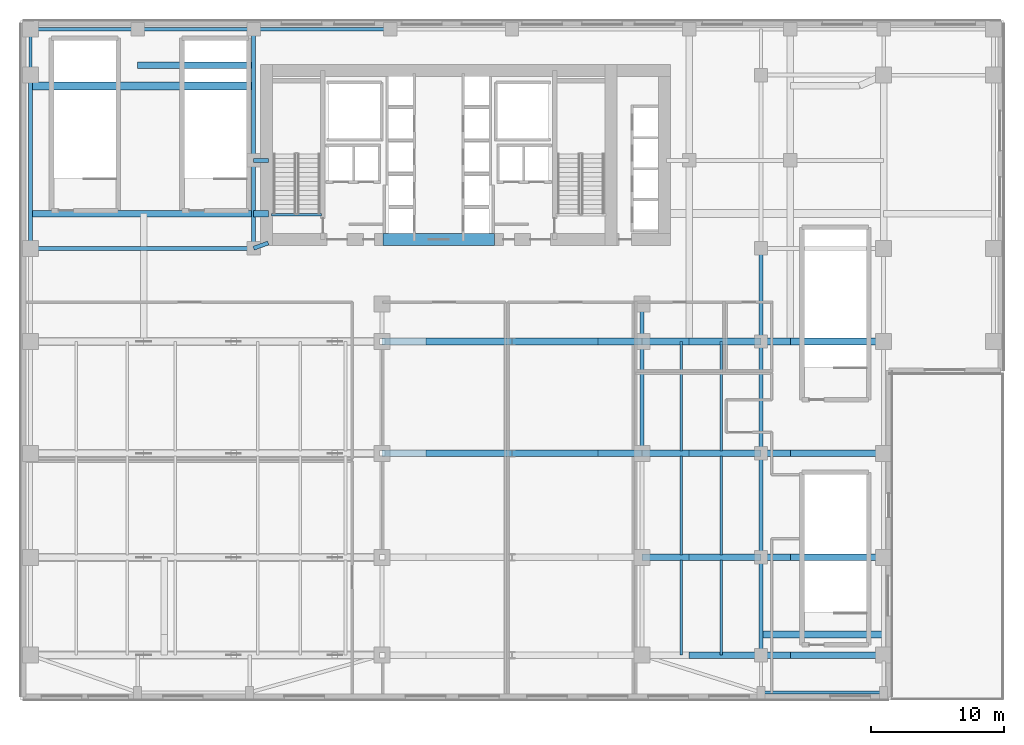
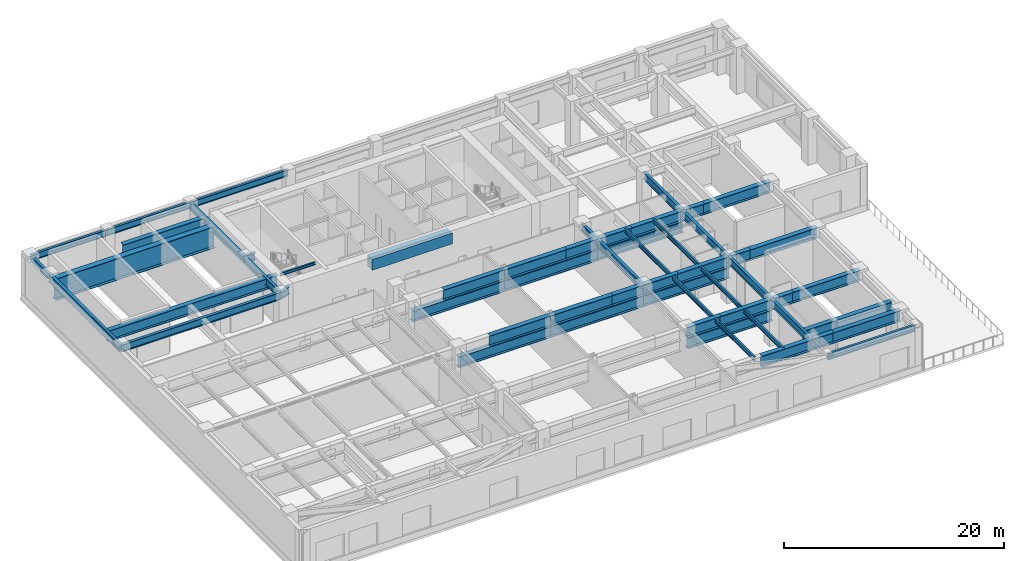
# One storey, part 3 of 14: 58 beams.
"""IFC4 building model written with IfcOpenShell, lengths in metres."""

import ifcopenshell
import ifcopenshell.guid

model = None  # the IFC model being written
_history = None  # IfcOwnerHistory: only IFC2X3 demands one
_inside = {}  # id of a spatial element -> (the spatial element, [elements in it])
_under = {}  # id of a project, library or spatial element -> (it, [spatial elements below it])
_declared = {}  # id of a project -> (the project, [libraries it declares])
_typed = {}  # id of a type object -> (the type object, [elements of that type])
_made_of = {}  # id of a material, layer set ... -> (it, [elements and type objects made of it])


def new_model(schema):
    """Start an empty IFC model of exactly this schema.

    Asked for "IFC4X3", IfcOpenShell would pick the latest addendum, in which some entities
    have other attributes; the version numbers below select the first issue.
    IFC2X3 requires an IfcOwnerHistory on every rooted entity: one is made here for all.
    """
    global model, _history
    if schema == "IFC4X3":
        model = ifcopenshell.file(schema_version=(4, 3, 0, 0))
    else:
        model = ifcopenshell.file(schema=schema)
    _inside.clear()
    _under.clear()
    _declared.clear()
    _typed.clear()
    _made_of.clear()
    _history = None
    if model.schema == "IFC2X3":
        org = make("IfcOrganization", Name="unknown")
        user = make(
            "IfcPersonAndOrganization",
            ThePerson=make("IfcPerson", FamilyName="unknown"),
            TheOrganization=org,
        )
        app = make(
            "IfcApplication",
            ApplicationDeveloper=org,
            Version="unknown",
            ApplicationFullName="unknown",
            ApplicationIdentifier="unknown",
        )
        _history = make(
            "IfcOwnerHistory",
            OwningUser=user,
            OwningApplication=app,
            ChangeAction="ADDED",
            CreationDate=0,
        )
    return model


def make(cls, **values):
    """One entity of the class cls with the attributes given. An attribute that is None is left unset."""
    return model.create_entity(
        cls, **{name: value for name, value in values.items() if value is not None}
    )


def rooted(cls, **values):
    """An entity with a GlobalId (a new one), such as an element, a storey or a relation."""
    return make(cls, GlobalId=ifcopenshell.guid.new(), OwnerHistory=_history, **values)


def si_unit(unit_type, name, prefix=None):
    """IfcSIUnit, for example si_unit("LENGTHUNIT", "METRE", prefix="MILLI")."""
    return make("IfcSIUnit", UnitType=unit_type, Prefix=prefix, Name=name)


def assignment(units):
    """IfcUnitAssignment: the units of a project."""
    return None if units is None else make("IfcUnitAssignment", Units=units)


def point(xyz):
    """IfcCartesianPoint."""
    return None if xyz is None else make("IfcCartesianPoint", Coordinates=xyz)


def direction(xyz):
    """IfcDirection."""
    return None if xyz is None else make("IfcDirection", DirectionRatios=xyz)


def frame(location, z_axis=None, x_axis=None):
    """IfcAxis2Placement3D, a coordinate frame: its origin and axes. An axis left out is left unset."""
    return make(
        "IfcAxis2Placement3D",
        Location=point(location),
        Axis=direction(z_axis),
        RefDirection=direction(x_axis),
    )


def frame_2d(location, x_axis=None):
    """IfcAxis2Placement2D, a coordinate frame in the plane: its origin and x axis."""
    return make(
        "IfcAxis2Placement2D", Location=point(location), RefDirection=direction(x_axis)
    )


def origin():
    """The frame at (0, 0, 0) with its axes left unset."""
    return frame((0.0, 0.0, 0.0))


def origin_2d():
    """The frame at (0, 0) in the plane with its x axis left unset."""
    return frame_2d((0.0, 0.0))


def place(relative_to, where):
    """IfcLocalPlacement: puts the frame where relative to a parent placement (None: the world)."""
    return make(
        "IfcLocalPlacement", PlacementRelTo=relative_to, RelativePlacement=where
    )


def context(
    kind, dimensions, precision=None, world=None, true_north=None, identifier=None
):
    """IfcGeometricRepresentationContext, for example the 3D "Model" context."""
    return make(
        "IfcGeometricRepresentationContext",
        ContextIdentifier=identifier,
        ContextType=kind,
        CoordinateSpaceDimension=dimensions,
        Precision=precision,
        WorldCoordinateSystem=world,
        TrueNorth=true_north,
    )


def subcontext(parent, identifier, kind, view, scale=None):
    """IfcGeometricRepresentationSubContext, for example "Body" below "Model"."""
    return make(
        "IfcGeometricRepresentationSubContext",
        ContextIdentifier=identifier,
        ContextType=kind,
        ParentContext=parent,
        TargetScale=scale,
        TargetView=view,
    )


def project(units=None, contexts=None):
    """IfcProject with its units and contexts."""
    return rooted(
        "IfcProject",
        Name="project",
        RepresentationContexts=contexts,
        UnitsInContext=assignment(units),
    )


def spatial(cls, under=None, at=None, **own):
    """A site, building, storey or space (cls), placed at a placement, below another one or the project."""
    s = rooted(cls, ObjectPlacement=at, **own)
    if under is not None:
        _under.setdefault(under.id(), (under, []))[1].append(s)
    return s


def profile(cls, at=None, kind="AREA", **sizes):
    """A parametric profile (cls). Its sizes go by their IFC names, for example OverallWidth=200.0."""
    return make(cls, ProfileType=kind, Position=at, **sizes)


def rectangle(**sizes):
    """IfcRectangleProfileDef."""
    return profile("IfcRectangleProfileDef", **sizes)


def i_section(**sizes):
    """IfcIShapeProfileDef."""
    return profile("IfcIShapeProfileDef", **sizes)


def extrude(swept, where, along, depth):
    """IfcExtrudedAreaSolid: the profile swept, set in the frame where, extruded along a direction by depth."""
    return make(
        "IfcExtrudedAreaSolid",
        SweptArea=swept,
        Position=where,
        ExtrudedDirection=direction(along),
        Depth=depth,
    )


def shape(context_of_items, identifier, shape_type, items):
    """IfcShapeRepresentation: the items that make up one representation, for example the "Body"."""
    return make(
        "IfcShapeRepresentation",
        ContextOfItems=context_of_items,
        RepresentationIdentifier=identifier,
        RepresentationType=shape_type,
        Items=items,
    )


def source(mapping_origin, context_of_items, identifier, shape_type, items):
    """IfcRepresentationMap: a shape defined once, which mapped items show again and again."""
    return make(
        "IfcRepresentationMap",
        MappingOrigin=mapping_origin,
        MappedRepresentation=shape(context_of_items, identifier, shape_type, items),
    )


def transform(
    local_origin,
    x_axis=None,
    y_axis=None,
    z_axis=None,
    scale=None,
    scale2=None,
    scale3=None,
    uniform=True,
):
    """IfcCartesianTransformationOperator3D, or its non-uniform kind. x_axis, y_axis, z_axis: its Axis1, 2, 3."""
    if uniform:
        return make(
            "IfcCartesianTransformationOperator3D",
            Axis1=direction(x_axis),
            Axis2=direction(y_axis),
            LocalOrigin=point(local_origin),
            Scale=scale,
            Axis3=direction(z_axis),
        )
    return make(
        "IfcCartesianTransformationOperator3DnonUniform",
        Axis1=direction(x_axis),
        Axis2=direction(y_axis),
        LocalOrigin=point(local_origin),
        Scale=scale,
        Axis3=direction(z_axis),
        Scale2=scale2,
        Scale3=scale3,
    )


def mapped(mapping_source, mapping_target):
    """IfcMappedItem: shows the shape of a source again, moved by a transform."""
    return make(
        "IfcMappedItem", MappingSource=mapping_source, MappingTarget=mapping_target
    )


def material(Name=None, Category=None):
    """IfcMaterial."""
    return make("IfcMaterial", Name=Name, Category=Category)


def material_profile(
    of_material, cross_section, Name=None, Category=None, Priority=None
):
    """IfcMaterialProfile: a cross section and its material."""
    return make(
        "IfcMaterialProfile",
        Name=Name,
        Material=of_material,
        Profile=cross_section,
        Priority=Priority,
        Category=Category,
    )


def profile_set(profiles, Name=None, composite=None):
    """IfcMaterialProfileSet."""
    return make(
        "IfcMaterialProfileSet",
        Name=Name,
        MaterialProfiles=profiles,
        CompositeProfile=composite,
    )


def made_of(thing, what):
    """Note that an element or type object is made of a material, layer set ...; save() writes the relation."""
    if what is not None:
        _made_of.setdefault(what.id(), (what, []))[1].append(thing)
    return thing


def type_object(cls, material=None, **own):
    """A type object (cls), such as IfcWallType, which elements share."""
    return made_of(rooted(cls, **own), material)


def type_shapes(of_type, sources):
    """Give a type object the sources (RepresentationMaps) that its elements show as mapped items."""
    of_type.RepresentationMaps = sources


def element(
    cls,
    number,
    at=None,
    inside=None,
    cuts=None,
    type_object=None,
    material=None,
    context=None,
    identifier="Body",
    shape_type=None,
    held_by="IfcProductDefinitionShape",
    body=None,
    shapes=None,
    **own,
):
    """One element of the class cls, such as IfcWall. Its Tag is "e" and its number.

    at: its placement. inside: the storey or other place that contains it. cuts: it is an
    opening in that element (IfcRelVoidsElement). A single representation is given by context,
    identifier, shape_type and body (its items); several are given by shapes. held_by: the class
    of the entity that holds the representations. save() writes the other relations.
    """
    e = rooted(cls, Tag="e%d" % number, ObjectPlacement=at, **own)
    if body is not None:
        shapes = [shape(context, identifier, shape_type, body)]
    if shapes is not None:
        e.Representation = make(held_by, Representations=shapes)
    if inside is not None:
        _inside.setdefault(inside.id(), (inside, []))[1].append(e)
    if cuts is not None:
        rooted(
            "IfcRelVoidsElement", RelatingBuildingElement=cuts, RelatedOpeningElement=e
        )
    if type_object is not None:
        _typed.setdefault(type_object.id(), (type_object, []))[1].append(e)
    return made_of(e, material)


def aggregate(whole, parts):
    """IfcRelAggregates: a whole, such as a stair, and the parts it consists of."""
    return rooted("IfcRelAggregates", RelatingObject=whole, RelatedObjects=parts)


def save(model, path):
    """Write the relations noted so far, then the file.

    IfcRelAggregates (storeys below a building ...), IfcRelContainedInSpatialStructure (elements
    in a storey), IfcRelDefinesByType, IfcRelAssociatesMaterial and IfcRelDeclares: one each for
    every whole, place, type object, material and project.
    """
    for whole, parts in _under.values():
        aggregate(whole, parts)
    for where, things in _inside.values():
        rooted(
            "IfcRelContainedInSpatialStructure",
            RelatedElements=things,
            RelatingStructure=where,
        )
    for kind, things in _typed.values():
        rooted("IfcRelDefinesByType", RelatedObjects=things, RelatingType=kind)
    for what, things in _made_of.values():
        rooted("IfcRelAssociatesMaterial", RelatedObjects=things, RelatingMaterial=what)
    for by, libraries in _declared.values():
        rooted("IfcRelDeclares", RelatingContext=by, RelatedDefinitions=libraries)
    model.write(path)


model = new_model("IFC4")

# Units and contexts
model_context = context("Model", 3, precision=1e-05, world=origin(), true_north=direction((0.0, 1.0)))
body_context = subcontext(model_context, "Body", "Model", "MODEL_VIEW")
ifc_project = project(units=[si_unit("LENGTHUNIT", "METRE"), si_unit("AREAUNIT", "SQUARE_METRE"), si_unit("VOLUMEUNIT", "CUBIC_METRE"), si_unit("PLANEANGLEUNIT", "RADIAN"), si_unit("MASSUNIT", "GRAM", prefix="KILO")], contexts=[model_context])

# Site, building, storey
site_placement = place(None, origin())
site = spatial("IfcSite", under=ifc_project, at=site_placement, CompositionType="ELEMENT")
building_placement = place(site_placement, origin())
building = spatial("IfcBuilding", under=site, at=building_placement, Name="Tolvann Quenvar Hotel", CompositionType="ELEMENT")
storey_placement = place(building_placement, frame((0.0, 0.0, 26.800048828125)))
storey = spatial("IfcBuildingStorey", under=building, at=storey_placement, Name="L05", CompositionType="ELEMENT", Elevation=26.800048828125)

# Beams
ifc_material_1 = material(Name="Concrete S80 (80 MPa)", Category="concrete")
ifc_material_profile_1 = material_profile(ifc_material_1, rectangle(XDim=0.89990234375, YDim=1.199951171875, at=origin_2d()), Name="RC900x1200")
ifc_profile_set_1 = profile_set([ifc_material_profile_1], Name="Concrete S80 (80 MPa)")
beam_type_1 = type_object("IfcBeamType", Name="BM_LINT_RC900x1200", PredefinedType="LINTEL", material=ifc_profile_set_1)
shared_shape_1 = source(origin(), body_context, "Body", "SweptSolid", [
    extrude(rectangle(XDim=0.89990234375, YDim=1.199951171875, at=origin_2d()), origin(), (0.0, 0.0, 1.0), 8.39990234375),
])
type_shapes(beam_type_1, [shared_shape_1])
beam_1_placement = place(storey_placement, frame((18.800048828125, 32.050048828125, 4.33984375), z_axis=(1.0, 0.0, 0.0), x_axis=(0.0, 1.0, 0.0)))
element("IfcBeam", 1, at=beam_1_placement, inside=storey, type_object=beam_type_1, Name="Core Coupling Lintel Beam (L05)", PredefinedType="LINTEL", context=body_context, shape_type="MappedRepresentation", body=[
    mapped(shared_shape_1, transform((0.0, 0.0, 0.0), x_axis=(1.0, 0.0, 0.0), y_axis=(0.0, 1.0, 0.0), z_axis=(0.0, 0.0, 1.0), scale=1.0)),
])
ifc_material_2 = material(Name="Steel Grade 350", Category="steel")
ifc_material_profile_2 = material_profile(ifc_material_2, i_section(OverallWidth=0.300048828125, OverallDepth=0.81591796875, WebThickness=0.010009765625, FlangeThickness=0.028076171875, at=origin_2d()), Name="800WB192")
ifc_profile_set_2 = profile_set([ifc_material_profile_2], Name="Steel Grade 350")
beam_type_2 = type_object("IfcBeamType", Name="BM_GIRD_800WB192", PredefinedType="BEAM", material=ifc_profile_set_2)
shared_shape_2 = source(origin(), body_context, "Body", "SweptSolid", [
    extrude(i_section(OverallWidth=0.300048828125, OverallDepth=0.81591796875, WebThickness=0.010009765625, FlangeThickness=0.028076171875, at=origin_2d()), origin(), (0.0, 0.0, 1.0), 7.349853515625),
])
beam_2_placement = place(storey_placement, frame((47.199951171875, 0.85009765625, 4.531982421875), z_axis=(0.0, 1.0, 0.0), x_axis=(-1.0, 0.0, 0.0)))
element("IfcBeam", 2, at=beam_2_placement, inside=storey, type_object=beam_type_2, Name="BM-L05-NS-H-0", PredefinedType="BEAM", context=body_context, shape_type="MappedRepresentation", body=[
    mapped(shared_shape_2, transform((0.0, 0.0, 0.0), x_axis=(1.0, 0.0, 0.0), y_axis=(0.0, 1.0, 0.0), z_axis=(0.0, 0.0, 1.0), scale=1.0)),
])
shared_shape_3 = source(origin(), body_context, "Body", "SweptSolid", [
    extrude(i_section(OverallWidth=0.300048828125, OverallDepth=0.81591796875, WebThickness=0.010009765625, FlangeThickness=0.028076171875, at=origin_2d()), origin(), (0.0, 0.0, 1.0), 7.800048828125),
])
beam_3_placement = place(storey_placement, frame((47.199951171875, 8.199951171875, 4.531982421875), z_axis=(0.0, 1.0, 0.0), x_axis=(-1.0, 0.0, 0.0)))
element("IfcBeam", 3, at=beam_3_placement, inside=storey, type_object=beam_type_2, Name="BM-L05-NS-H-1", PredefinedType="BEAM", context=body_context, shape_type="MappedRepresentation", body=[
    mapped(shared_shape_3, transform((0.0, 0.0, 0.0), x_axis=(1.0, 0.0, 0.0), y_axis=(0.0, 1.0, 0.0), z_axis=(0.0, 0.0, 1.0), scale=1.0)),
])
shared_shape_4 = source(origin(), body_context, "Body", "SweptSolid", [
    extrude(i_section(OverallWidth=0.300048828125, OverallDepth=0.81591796875, WebThickness=0.010009765625, FlangeThickness=0.028076171875, at=origin_2d()), origin(), (0.0, 0.0, 1.0), 8.39990234375),
])
for number, where, z_axis, x_axis, name in (
    (4, (38.25, 16.0, 4.531982421875), (0.0, 1.0, 0.0), (-1.0, 0.0, 0.0), "BM-L05-NS-APE-2"),
    (5, (47.199951171875, 16.0, 4.531982421875), (0.0, 1.0, 0.0), (-1.0, 0.0, 0.0), "BM-L05-NS-H-2"),
):
    element("IfcBeam", number, at=place(storey_placement, frame(where, z_axis=z_axis, x_axis=x_axis)), inside=storey, type_object=beam_type_2, Name=name, PredefinedType="BEAM", context=body_context, shape_type="MappedRepresentation", body=[
        mapped(shared_shape_4, transform((0.0, 0.0, 0.0), x_axis=(1.0, 0.0, 0.0), y_axis=(0.0, 1.0, 0.0), z_axis=(0.0, 0.0, 1.0), scale=1.0)),
    ])
shared_shape_5 = source(origin(), body_context, "Body", "SweptSolid", [
    extrude(i_section(OverallWidth=0.300048828125, OverallDepth=0.81591796875, WebThickness=0.010009765625, FlangeThickness=0.028076171875, at=origin_2d()), origin(), (0.0, 0.0, 1.0), 2.800048828125),
])
beam_4_placement = place(storey_placement, frame((38.25, 24.39990234375, 4.531982421875), z_axis=(0.0, 1.0, 0.0), x_axis=(-1.0, 0.0, 0.0)))
element("IfcBeam", 6, at=beam_4_placement, inside=storey, type_object=beam_type_2, Name="BM-L05-NS-APE-3", PredefinedType="BEAM", context=body_context, shape_type="MappedRepresentation", body=[
    mapped(shared_shape_5, transform((0.0, 0.0, 0.0), x_axis=(1.0, 0.0, 0.0), y_axis=(0.0, 1.0, 0.0), z_axis=(0.0, 0.0, 1.0), scale=1.0)),
])
ifc_material_profile_3 = material_profile(ifc_material_2, i_section(OverallWidth=0.5, OverallDepth=1.199951171875, WebThickness=0.01611328125, FlangeThickness=0.0400390625, at=origin_2d()), Name="1200WB455")
ifc_profile_set_3 = profile_set([ifc_material_profile_3], Name="Steel Grade 350")
beam_type_3 = type_object("IfcBeamType", Name="BM_TG_1200WB455", PredefinedType="USERDEFINED", material=ifc_profile_set_3)
shared_shape_6 = source(origin(), body_context, "Body", "SweptSolid", [
    extrude(i_section(OverallWidth=0.5, OverallDepth=1.199951171875, WebThickness=0.01611328125, FlangeThickness=0.0400390625, at=origin_2d()), origin(), (0.0, 0.0, 1.0), 9.75),
])
for number, where, z_axis, x_axis, name in (
    (7, (18.75, 16.0, 3.139892578125), (1.0, 0.0, 0.0), (0.0, 1.0, 0.0), "L05 Primary Transfer Carrier 3-1"),
    (8, (28.5, 16.0, 3.139892578125), (1.0, 0.0, 0.0), (0.0, 1.0, 0.0), "L05 Primary Transfer Carrier 3-2"),
    (9, (18.75, 24.39990234375, 3.139892578125), (1.0, 0.0, 0.0), (0.0, 1.0, 0.0), "L05 Primary Transfer Carrier 4-1"),
    (10, (28.5, 24.39990234375, 3.139892578125), (1.0, 0.0, 0.0), (0.0, 1.0, 0.0), "L05 Primary Transfer Carrier 4-2"),
):
    element("IfcBeam", number, at=place(storey_placement, frame(where, z_axis=z_axis, x_axis=x_axis)), inside=storey, type_object=beam_type_3, Name=name, ObjectType="TRANSFER GIRDER", PredefinedType="USERDEFINED", context=body_context, shape_type="MappedRepresentation", body=[
        mapped(shared_shape_6, transform((0.0, 0.0, 0.0), x_axis=(1.0, 0.0, 0.0), y_axis=(0.0, 1.0, 0.0), z_axis=(0.0, 0.0, 1.0), scale=1.0)),
    ])
shared_shape_7 = source(origin(), body_context, "Body", "SweptSolid", [
    extrude(i_section(OverallWidth=0.300048828125, OverallDepth=0.81591796875, WebThickness=0.010009765625, FlangeThickness=0.028076171875, at=origin_2d()), origin(), (0.0, 0.0, 1.0), 7.0),
])
beam_5_placement = place(storey_placement, frame((47.199951171875, 24.39990234375, 4.531982421875), z_axis=(0.0, 1.0, 0.0), x_axis=(-1.0, 0.0, 0.0)))
element("IfcBeam", 11, at=beam_5_placement, inside=storey, type_object=beam_type_2, Name="BM-L05-NS-H-3", PredefinedType="BEAM", context=body_context, shape_type="MappedRepresentation", body=[
    mapped(shared_shape_7, transform((0.0, 0.0, 0.0), x_axis=(1.0, 0.0, 0.0), y_axis=(0.0, 1.0, 0.0), z_axis=(0.0, 0.0, 1.0), scale=1.0)),
])
shared_shape_8 = source(origin(), body_context, "Body", "SweptSolid", [
    extrude(i_section(OverallWidth=0.300048828125, OverallDepth=0.81591796875, WebThickness=0.010009765625, FlangeThickness=0.028076171875, at=origin_2d()), origin(), (0.0, 0.0, 1.0), 13.0),
])
beam_6_placement = place(storey_placement, frame((-7.64990234375, 31.39990234375, 4.531982421875), z_axis=(0.0, 1.0, 0.0), x_axis=(-1.0, 0.0, 0.0)))
element("IfcBeam", 12, at=beam_6_placement, inside=storey, type_object=beam_type_2, Name="BM-L05-NS-A-4", PredefinedType="BEAM", context=body_context, shape_type="MappedRepresentation", body=[
    mapped(shared_shape_8, transform((0.0, 0.0, 0.0), x_axis=(1.0, 0.0, 0.0), y_axis=(0.0, 1.0, 0.0), z_axis=(0.0, 0.0, 1.0), scale=1.0)),
])
ifc_material_profile_4 = material_profile(ifc_material_2, i_section(OverallWidth=0.25, OverallDepth=0.699951171875, WebThickness=0.010009765625, FlangeThickness=0.02392578125, at=origin_2d()), Name="700WB150")
ifc_profile_set_4 = profile_set([ifc_material_profile_4], Name="Steel Grade 350")
beam_type_4 = type_object("IfcBeamType", Name="BM_GIRD_700WB150", PredefinedType="BEAM", material=ifc_profile_set_4)
shared_shape_9 = source(origin(), body_context, "Body", "SweptSolid", [
    extrude(i_section(OverallWidth=0.25, OverallDepth=0.699951171875, WebThickness=0.010009765625, FlangeThickness=0.02392578125, at=origin_2d()), origin(), (0.0, 0.0, 1.0), 3.4501953125),
])
beam_7_placement = place(storey_placement, frame((-7.64990234375, 44.39990234375, 4.58984375), z_axis=(0.0, 1.0, 0.0), x_axis=(-1.0, 0.0, 0.0)))
element("IfcBeam", 13, at=beam_7_placement, inside=storey, type_object=beam_type_4, Name="BM-L05-NSN-A", PredefinedType="BEAM", context=body_context, shape_type="MappedRepresentation", body=[
    mapped(shared_shape_9, transform((0.0, 0.0, 0.0), x_axis=(1.0, 0.0, 0.0), y_axis=(0.0, 1.0, 0.0), z_axis=(0.0, 0.0, 1.0), scale=1.0)),
])
shared_shape_10 = source(origin(), body_context, "Body", "SweptSolid", [
    extrude(i_section(OverallWidth=0.25, OverallDepth=0.699951171875, WebThickness=0.010009765625, FlangeThickness=0.02392578125, at=origin_2d()), origin(), (0.0, 0.0, 1.0), 9.199951171875),
])
beam_8_placement = place(storey_placement, frame((47.199951171875, -1.949951171875, 4.58984375), z_axis=(1.0, 0.0, 0.0), x_axis=(0.0, 1.0, 0.0)))
element("IfcBeam", 14, at=beam_8_placement, inside=storey, type_object=beam_type_4, Name="BM-L05-EWS-E1", PredefinedType="BEAM", context=body_context, shape_type="MappedRepresentation", body=[
    mapped(shared_shape_10, transform((0.0, 0.0, 0.0), x_axis=(1.0, 0.0, 0.0), y_axis=(0.0, 1.0, 0.0), z_axis=(0.0, 0.0, 1.0), scale=1.0)),
])
shared_shape_11 = source(origin(), body_context, "Body", "SweptSolid", [
    extrude(i_section(OverallWidth=0.25, OverallDepth=0.699951171875, WebThickness=0.010009765625, FlangeThickness=0.02392578125, at=origin_2d()), origin(), (0.0, 0.0, 1.0), 8.0498046875),
])
beam_9_placement = place(storey_placement, frame((-7.64990234375, 47.85009765625, 4.58984375), z_axis=(1.0, 0.0, 0.0), x_axis=(0.0, 1.0, 0.0)))
element("IfcBeam", 15, at=beam_9_placement, inside=storey, type_object=beam_type_4, Name="BM-L05-EWN-0", PredefinedType="BEAM", context=body_context, shape_type="MappedRepresentation", body=[
    mapped(shared_shape_11, transform((0.0, 0.0, 0.0), x_axis=(1.0, 0.0, 0.0), y_axis=(0.0, 1.0, 0.0), z_axis=(0.0, 0.0, 1.0), scale=1.0)),
])
shared_shape_12 = source(origin(), body_context, "Body", "SweptSolid", [
    extrude(i_section(OverallWidth=0.25, OverallDepth=0.699951171875, WebThickness=0.010009765625, FlangeThickness=0.02392578125, at=origin_2d()), origin(), (0.0, 0.0, 1.0), 8.7001953125),
])
beam_10_placement = place(storey_placement, frame((0.39990234375, 47.85009765625, 4.58984375), z_axis=(1.0, 0.0, 0.0), x_axis=(0.0, 1.0, 0.0)))
element("IfcBeam", 16, at=beam_10_placement, inside=storey, type_object=beam_type_4, Name="BM-L05-EWN-1", PredefinedType="BEAM", context=body_context, shape_type="MappedRepresentation", body=[
    mapped(shared_shape_12, transform((0.0, 0.0, 0.0), x_axis=(1.0, 0.0, 0.0), y_axis=(0.0, 1.0, 0.0), z_axis=(0.0, 0.0, 1.0), scale=1.0)),
])
shared_shape_13 = source(origin(), body_context, "Body", "SweptSolid", [
    extrude(i_section(OverallWidth=0.25, OverallDepth=0.699951171875, WebThickness=0.010009765625, FlangeThickness=0.02392578125, at=origin_2d()), origin(), (0.0, 0.0, 1.0), 10.25),
])
type_shapes(beam_type_4, [shared_shape_9, shared_shape_10, shared_shape_11, shared_shape_12, shared_shape_13])
beam_11_placement = place(storey_placement, frame((9.10009765625, 47.85009765625, 4.58984375), z_axis=(1.0, 0.0, 0.0), x_axis=(0.0, 1.0, 0.0)))
element("IfcBeam", 17, at=beam_11_placement, inside=storey, type_object=beam_type_4, Name="BM-L05-EWN-2", PredefinedType="BEAM", context=body_context, shape_type="MappedRepresentation", body=[
    mapped(shared_shape_13, transform((0.0, 0.0, 0.0), x_axis=(1.0, 0.0, 0.0), y_axis=(0.0, 1.0, 0.0), z_axis=(0.0, 0.0, 1.0), scale=1.0)),
])
shared_shape_14 = source(origin(), body_context, "Body", "SweptSolid", [
    extrude(i_section(OverallWidth=0.300048828125, OverallDepth=0.81591796875, WebThickness=0.010009765625, FlangeThickness=0.028076171875, at=origin_2d()), origin(), (0.0, 0.0, 1.0), 16.75),
])
beam_12_placement = place(storey_placement, frame((-7.64990234375, 31.39990234375, 4.531982421875), z_axis=(1.0, 0.0, 0.0), x_axis=(0.0, 1.0, 0.0)))
element("IfcBeam", 18, at=beam_12_placement, inside=storey, type_object=beam_type_2, Name="BM-L05-EW-PCNS", PredefinedType="BEAM", context=body_context, shape_type="MappedRepresentation", body=[
    mapped(shared_shape_14, transform((0.0, 0.0, 0.0), x_axis=(1.0, 0.0, 0.0), y_axis=(0.0, 1.0, 0.0), z_axis=(0.0, 0.0, 1.0), scale=1.0)),
])
shared_shape_15 = source(origin(), body_context, "Body", "SweptSolid", [
    extrude(i_section(OverallWidth=0.300048828125, OverallDepth=0.81591796875, WebThickness=0.010009765625, FlangeThickness=0.028076171875, at=origin_2d()), origin(), (0.0, 0.0, 1.0), 1.17041015625),
])
beam_13_placement = place(storey_placement, frame((9.10009765625, 31.39990234375, 4.531982421875), z_axis=(0.939738597058, 0.34189379813, 0.0), x_axis=(-0.34189379813, 0.939738597058, 0.0)))
element("IfcBeam", 19, at=beam_13_placement, inside=storey, type_object=beam_type_2, Name="BM-L05-EW-PCNS2", PredefinedType="BEAM", context=body_context, shape_type="MappedRepresentation", body=[
    mapped(shared_shape_15, transform((0.0, 0.0, 0.0), x_axis=(1.0, 0.0, 0.0), y_axis=(0.0, 1.0, 0.0), z_axis=(0.0, 0.0, 1.0), scale=1.0)),
])
shared_shape_16 = source(origin(), body_context, "Body", "SweptSolid", [
    extrude(i_section(OverallWidth=0.300048828125, OverallDepth=0.81591796875, WebThickness=0.010009765625, FlangeThickness=0.028076171875, at=origin_2d()), origin(), (0.0, 0.0, 1.0), 6.60009765625),
])
beam_14_placement = place(storey_placement, frame((9.10009765625, 31.39990234375, 4.531982421875), z_axis=(0.0, 1.0, 0.0), x_axis=(-1.0, 0.0, 0.0)))
element("IfcBeam", 20, at=beam_14_placement, inside=storey, type_object=beam_type_2, Name="BM-L05-NSB-PCN1", PredefinedType="BEAM", context=body_context, shape_type="MappedRepresentation", body=[
    mapped(shared_shape_16, transform((0.0, 0.0, 0.0), x_axis=(1.0, 0.0, 0.0), y_axis=(0.0, 1.0, 0.0), z_axis=(0.0, 0.0, 1.0), scale=1.0)),
])
shared_shape_17 = source(origin(), body_context, "Body", "SweptSolid", [
    extrude(i_section(OverallWidth=0.300048828125, OverallDepth=0.81591796875, WebThickness=0.010009765625, FlangeThickness=0.028076171875, at=origin_2d()), origin(), (0.0, 0.0, 1.0), 9.85009765625),
])
beam_15_placement = place(storey_placement, frame((9.10009765625, 38.0, 4.531982421875), z_axis=(0.0, 1.0, 0.0), x_axis=(-1.0, 0.0, 0.0)))
element("IfcBeam", 21, at=beam_15_placement, inside=storey, type_object=beam_type_2, Name="BM-L05-NSB-PCN2", PredefinedType="BEAM", context=body_context, shape_type="MappedRepresentation", body=[
    mapped(shared_shape_17, transform((0.0, 0.0, 0.0), x_axis=(1.0, 0.0, 0.0), y_axis=(0.0, 1.0, 0.0), z_axis=(0.0, 0.0, 1.0), scale=1.0)),
])
shared_shape_18 = source(origin(), body_context, "Body", "SweptSolid", [
    extrude(i_section(OverallWidth=0.300048828125, OverallDepth=0.81591796875, WebThickness=0.010009765625, FlangeThickness=0.028076171875, at=origin_2d()), origin(), (0.0, 0.0, 1.0), 1.099853515625),
])
type_shapes(beam_type_2, [shared_shape_2, shared_shape_3, shared_shape_4, shared_shape_5, shared_shape_7, shared_shape_8, shared_shape_14, shared_shape_15, shared_shape_16, shared_shape_17, shared_shape_18])
beam_16_placement = place(storey_placement, frame((9.10009765625, 38.0, 4.531982421875), z_axis=(1.0, 0.0, 0.0), x_axis=(0.0, 1.0, 0.0)))
element("IfcBeam", 22, at=beam_16_placement, inside=storey, type_object=beam_type_2, Name="BM-L05-EW-PCN", PredefinedType="BEAM", context=body_context, shape_type="MappedRepresentation", body=[
    mapped(shared_shape_18, transform((0.0, 0.0, 0.0), x_axis=(1.0, 0.0, 0.0), y_axis=(0.0, 1.0, 0.0), z_axis=(0.0, 0.0, 1.0), scale=1.0)),
])
ifc_material_profile_5 = material_profile(ifc_material_2, i_section(OverallWidth=0.18994140625, OverallDepth=0.4541015625, WebThickness=0.008544921875, FlangeThickness=0.0126953125, FilletRadius=0.011474609375, at=origin_2d()), Name="460UB67")
ifc_profile_set_5 = profile_set([ifc_material_profile_5], Name="Steel Grade 350")
beam_type_5 = type_object("IfcBeamType", Name="BM_JOIST_460UB67", PredefinedType="JOIST", material=ifc_profile_set_5)
shared_shape_19 = source(origin(), body_context, "Body", "SweptSolid", [
    extrude(i_section(OverallWidth=0.18994140625, OverallDepth=0.4541015625, WebThickness=0.008544921875, FlangeThickness=0.0126953125, FilletRadius=0.011474609375, at=origin_2d()), origin(), (0.0, 0.0, 1.0), 7.164794921875),
])
for number, where, z_axis, x_axis, name in (
    (23, (41.199951171875, 0.85009765625, 4.712890625), (0.0, 1.0, 0.0), (-1.0, 0.0, 0.0), "BJ-L05-412-8"),
    (24, (44.199951171875, 0.85009765625, 4.712890625), (0.0, 1.0, 0.0), (-1.0, 0.0, 0.0), "BJ-L05-442-8"),
):
    element("IfcBeam", number, at=place(storey_placement, frame(where, z_axis=z_axis, x_axis=x_axis)), inside=storey, type_object=beam_type_5, Name=name, PredefinedType="JOIST", context=body_context, shape_type="MappedRepresentation", body=[
        mapped(shared_shape_19, transform((0.0, 0.0, 0.0), x_axis=(1.0, 0.0, 0.0), y_axis=(0.0, 1.0, 0.0), z_axis=(0.0, 0.0, 1.0), scale=1.0)),
    ])
shared_shape_20 = source(origin(), body_context, "Body", "SweptSolid", [
    extrude(i_section(OverallWidth=0.18994140625, OverallDepth=0.4541015625, WebThickness=0.008544921875, FlangeThickness=0.0126953125, FilletRadius=0.011474609375, at=origin_2d()), origin(), (0.0, 0.0, 1.0), 7.429931640625),
])
for number, where, z_axis, x_axis, name in (
    (25, (41.199951171875, 8.385009765625, 4.712890625), (0.0, 1.0, 0.0), (-1.0, 0.0, 0.0), "BJ-L05-412-82"),
    (26, (44.199951171875, 8.385009765625, 4.712890625), (0.0, 1.0, 0.0), (-1.0, 0.0, 0.0), "BJ-L05-442-82"),
):
    element("IfcBeam", number, at=place(storey_placement, frame(where, z_axis=z_axis, x_axis=x_axis)), inside=storey, type_object=beam_type_5, Name=name, PredefinedType="JOIST", context=body_context, shape_type="MappedRepresentation", body=[
        mapped(shared_shape_20, transform((0.0, 0.0, 0.0), x_axis=(1.0, 0.0, 0.0), y_axis=(0.0, 1.0, 0.0), z_axis=(0.0, 0.0, 1.0), scale=1.0)),
    ])
shared_shape_21 = source(origin(), body_context, "Body", "SweptSolid", [
    extrude(i_section(OverallWidth=0.18994140625, OverallDepth=0.4541015625, WebThickness=0.008544921875, FlangeThickness=0.0126953125, FilletRadius=0.011474609375, at=origin_2d()), origin(), (0.0, 0.0, 1.0), 8.21484375),
])
type_shapes(beam_type_5, [shared_shape_19, shared_shape_20, shared_shape_21])
for number, where, z_axis, x_axis, name in (
    (27, (41.199951171875, 16.18505859375, 4.712890625), (0.0, 1.0, 0.0), (-1.0, 0.0, 0.0), "BJ-L05-412-160"),
    (28, (44.199951171875, 16.18505859375, 4.712890625), (0.0, 1.0, 0.0), (-1.0, 0.0, 0.0), "BJ-L05-442-160"),
):
    element("IfcBeam", number, at=place(storey_placement, frame(where, z_axis=z_axis, x_axis=x_axis)), inside=storey, type_object=beam_type_5, Name=name, PredefinedType="JOIST", context=body_context, shape_type="MappedRepresentation", body=[
        mapped(shared_shape_21, transform((0.0, 0.0, 0.0), x_axis=(1.0, 0.0, 0.0), y_axis=(0.0, 1.0, 0.0), z_axis=(0.0, 0.0, 1.0), scale=1.0)),
    ])
ifc_material_profile_6 = material_profile(ifc_material_2, i_section(OverallWidth=0.166015625, OverallDepth=0.306884765625, WebThickness=0.006591796875, FlangeThickness=0.01171875, FilletRadius=0.011474609375, at=origin_2d()), Name="310UB46")
ifc_profile_set_6 = profile_set([ifc_material_profile_6], Name="Steel Grade 350")
beam_type_6 = type_object("IfcBeamType", Name="BM_JOIST_310UB46", PredefinedType="JOIST", material=ifc_profile_set_6)
shared_shape_22 = source(origin(), body_context, "Body", "SweptSolid", [
    extrude(i_section(OverallWidth=0.166015625, OverallDepth=0.306884765625, WebThickness=0.006591796875, FlangeThickness=0.01171875, FilletRadius=0.011474609375, at=origin_2d()), origin(), (0.0, 0.0, 1.0), 3.75),
])
type_shapes(beam_type_6, [shared_shape_22])
beam_17_placement = place(storey_placement, frame((10.449951171875, 33.9150390625, 4.786376953125), z_axis=(1.0, 0.0, 0.0), x_axis=(0.0, 1.0, 0.0)))
element("IfcBeam", 29, at=beam_17_placement, inside=storey, type_object=beam_type_6, Name="BM-HDR-ST-C1-L06", PredefinedType="JOIST", context=body_context, shape_type="MappedRepresentation", body=[
    mapped(shared_shape_22, transform((0.0, 0.0, 0.0), x_axis=(1.0, 0.0, 0.0), y_axis=(0.0, 1.0, 0.0), z_axis=(0.0, 0.0, 1.0), scale=1.0)),
])
shared_shape_23 = source(origin(), body_context, "Body", "SweptSolid", [
    extrude(i_section(OverallWidth=0.5, OverallDepth=1.199951171875, WebThickness=0.01611328125, FlangeThickness=0.0400390625, at=origin_2d()), origin(), (0.0, 0.0, 1.0), 8.949951171875),
])
for number, where, z_axis, x_axis, name in (
    (30, (38.25, 8.199951171875, 3.139892578125), (1.0, 0.0, 0.0), (0.0, 1.0, 0.0), "L05 Primary Transfer Carrier 2-3"),
    (31, (38.25, 16.0, 3.139892578125), (1.0, 0.0, 0.0), (0.0, 1.0, 0.0), "L05 Primary Transfer Carrier 3-3"),
    (32, (38.25, 24.39990234375, 3.139892578125), (1.0, 0.0, 0.0), (0.0, 1.0, 0.0), "L05 Primary Transfer Carrier 4-3"),
):
    element("IfcBeam", number, at=place(storey_placement, frame(where, z_axis=z_axis, x_axis=x_axis)), inside=storey, type_object=beam_type_3, Name=name, ObjectType="TRANSFER GIRDER", PredefinedType="USERDEFINED", context=body_context, shape_type="MappedRepresentation", body=[
        mapped(shared_shape_23, transform((0.0, 0.0, 0.0), x_axis=(1.0, 0.0, 0.0), y_axis=(0.0, 1.0, 0.0), z_axis=(0.0, 0.0, 1.0), scale=1.0)),
    ])
shared_shape_24 = source(origin(), body_context, "Body", "SweptSolid", [
    extrude(i_section(OverallWidth=0.5, OverallDepth=1.199951171875, WebThickness=0.01611328125, FlangeThickness=0.0400390625, at=origin_2d()), origin(), (0.0, 0.0, 1.0), 3.550048828125),
])
for number, where, z_axis, x_axis, name in (
    (33, (38.25, 8.199951171875, 4.33984375), (1.0, 0.0, 0.0), (0.0, 1.0, 0.0), "L05 Upper Transfer Grillage 2-8"),
    (34, (38.25, 16.0, 4.33984375), (1.0, 0.0, 0.0), (0.0, 1.0, 0.0), "L05 Upper Transfer Grillage 3-8"),
    (35, (38.25, 24.39990234375, 4.33984375), (1.0, 0.0, 0.0), (0.0, 1.0, 0.0), "L05 Upper Transfer Grillage 4-8"),
):
    element("IfcBeam", number, at=place(storey_placement, frame(where, z_axis=z_axis, x_axis=x_axis)), inside=storey, type_object=beam_type_3, Name=name, ObjectType="TRANSFER GIRDER", PredefinedType="USERDEFINED", context=body_context, shape_type="MappedRepresentation", body=[
        mapped(shared_shape_24, transform((0.0, 0.0, 0.0), x_axis=(1.0, 0.0, 0.0), y_axis=(0.0, 1.0, 0.0), z_axis=(0.0, 0.0, 1.0), scale=1.0)),
    ])
shared_shape_25 = source(origin(), body_context, "Body", "SweptSolid", [
    extrude(i_section(OverallWidth=0.5, OverallDepth=1.199951171875, WebThickness=0.01611328125, FlangeThickness=0.0400390625, at=origin_2d()), origin(), (0.0, 0.0, 1.0), 3.300048828125),
])
for number, where, z_axis, x_axis, name in (
    (36, (34.949951171875, 16.0, 4.33984375), (1.0, 0.0, 0.0), (0.0, 1.0, 0.0), "L05 Upper Transfer Grillage 3-7"),
    (37, (34.949951171875, 24.39990234375, 4.33984375), (1.0, 0.0, 0.0), (0.0, 1.0, 0.0), "L05 Upper Transfer Grillage 4-7"),
):
    element("IfcBeam", number, at=place(storey_placement, frame(where, z_axis=z_axis, x_axis=x_axis)), inside=storey, type_object=beam_type_3, Name=name, ObjectType="TRANSFER GIRDER", PredefinedType="USERDEFINED", context=body_context, shape_type="MappedRepresentation", body=[
        mapped(shared_shape_25, transform((0.0, 0.0, 0.0), x_axis=(1.0, 0.0, 0.0), y_axis=(0.0, 1.0, 0.0), z_axis=(0.0, 0.0, 1.0), scale=1.0)),
    ])
shared_shape_26 = source(origin(), body_context, "Body", "SweptSolid", [
    extrude(i_section(OverallWidth=0.5, OverallDepth=1.199951171875, WebThickness=0.01611328125, FlangeThickness=0.0400390625, at=origin_2d()), origin(), (0.0, 0.0, 1.0), 6.449951171875),
])
for number, where, z_axis, x_axis, name in (
    (38, (22.050048828125, 16.0, 4.33984375), (1.0, 0.0, 0.0), (0.0, 1.0, 0.0), "L05 Upper Transfer Grillage 3-5"),
    (39, (28.5, 16.0, 4.33984375), (1.0, 0.0, 0.0), (0.0, 1.0, 0.0), "L05 Upper Transfer Grillage 3-6"),
    (40, (22.050048828125, 24.39990234375, 4.33984375), (1.0, 0.0, 0.0), (0.0, 1.0, 0.0), "L05 Upper Transfer Grillage 4-5"),
    (41, (28.5, 24.39990234375, 4.33984375), (1.0, 0.0, 0.0), (0.0, 1.0, 0.0), "L05 Upper Transfer Grillage 4-6"),
):
    element("IfcBeam", number, at=place(storey_placement, frame(where, z_axis=z_axis, x_axis=x_axis)), inside=storey, type_object=beam_type_3, Name=name, ObjectType="TRANSFER GIRDER", PredefinedType="USERDEFINED", context=body_context, shape_type="MappedRepresentation", body=[
        mapped(shared_shape_26, transform((0.0, 0.0, 0.0), x_axis=(1.0, 0.0, 0.0), y_axis=(0.0, 1.0, 0.0), z_axis=(0.0, 0.0, 1.0), scale=1.0)),
    ])
shared_shape_27 = source(origin(), body_context, "Body", "SweptSolid", [
    extrude(i_section(OverallWidth=0.5, OverallDepth=1.199951171875, WebThickness=0.01611328125, FlangeThickness=0.0400390625, at=origin_2d()), origin(), (0.0, 0.0, 1.0), 5.39990234375),
])
for number, where, z_axis, x_axis, name in (
    (42, (41.800048828125, 0.85009765625, 4.33984375), (1.0, 0.0, 0.0), (0.0, 1.0, 0.0), "L05 Upper Transfer Grillage 1-9"),
    (43, (41.800048828125, 8.199951171875, 4.33984375), (1.0, 0.0, 0.0), (0.0, 1.0, 0.0), "L05 Upper Transfer Grillage 2-9"),
    (44, (41.800048828125, 16.0, 4.33984375), (1.0, 0.0, 0.0), (0.0, 1.0, 0.0), "L05 Upper Transfer Grillage 3-9"),
    (45, (41.800048828125, 24.39990234375, 4.33984375), (1.0, 0.0, 0.0), (0.0, 1.0, 0.0), "L05 Upper Transfer Grillage 4-9"),
):
    element("IfcBeam", number, at=place(storey_placement, frame(where, z_axis=z_axis, x_axis=x_axis)), inside=storey, type_object=beam_type_3, Name=name, ObjectType="TRANSFER GIRDER", PredefinedType="USERDEFINED", context=body_context, shape_type="MappedRepresentation", body=[
        mapped(shared_shape_27, transform((0.0, 0.0, 0.0), x_axis=(1.0, 0.0, 0.0), y_axis=(0.0, 1.0, 0.0), z_axis=(0.0, 0.0, 1.0), scale=1.0)),
    ])
shared_shape_28 = source(origin(), body_context, "Body", "SweptSolid", [
    extrude(i_section(OverallWidth=0.5, OverallDepth=1.199951171875, WebThickness=0.01611328125, FlangeThickness=0.0400390625, at=origin_2d()), origin(), (0.0, 0.0, 1.0), 2.199951171875),
])
for number, where, z_axis, x_axis, name in (
    (46, (47.199951171875, 0.85009765625, 4.33984375), (1.0, 0.0, 0.0), (0.0, 1.0, 0.0), "L05 East Transfer Girder 1-1"),
    (47, (47.199951171875, 8.199951171875, 4.33984375), (1.0, 0.0, 0.0), (0.0, 1.0, 0.0), "L05 East Transfer Girder 2-1"),
    (48, (47.199951171875, 16.0, 4.33984375), (1.0, 0.0, 0.0), (0.0, 1.0, 0.0), "L05 East Transfer Girder 3-1"),
    (49, (47.199951171875, 24.39990234375, 4.33984375), (1.0, 0.0, 0.0), (0.0, 1.0, 0.0), "L05 East Transfer Girder 4-1"),
):
    element("IfcBeam", number, at=place(storey_placement, frame(where, z_axis=z_axis, x_axis=x_axis)), inside=storey, type_object=beam_type_3, Name=name, ObjectType="TRANSFER GIRDER", PredefinedType="USERDEFINED", context=body_context, shape_type="MappedRepresentation", body=[
        mapped(shared_shape_28, transform((0.0, 0.0, 0.0), x_axis=(1.0, 0.0, 0.0), y_axis=(0.0, 1.0, 0.0), z_axis=(0.0, 0.0, 1.0), scale=1.0)),
    ])
shared_shape_29 = source(origin(), body_context, "Body", "SweptSolid", [
    extrude(i_section(OverallWidth=0.5, OverallDepth=1.199951171875, WebThickness=0.01611328125, FlangeThickness=0.0400390625, at=origin_2d()), origin(), (0.0, 0.0, 1.0), 7.0),
])
for number, where, z_axis, x_axis, name in (
    (50, (49.39990234375, 0.85009765625, 4.33984375), (1.0, 0.0, 0.0), (0.0, 1.0, 0.0), "L05 East Transfer Girder 1-2"),
    (51, (49.39990234375, 8.199951171875, 4.33984375), (1.0, 0.0, 0.0), (0.0, 1.0, 0.0), "L05 East Transfer Girder 2-2"),
    (52, (49.39990234375, 16.0, 4.33984375), (1.0, 0.0, 0.0), (0.0, 1.0, 0.0), "L05 East Transfer Girder 3-2"),
    (53, (49.39990234375, 24.39990234375, 4.33984375), (1.0, 0.0, 0.0), (0.0, 1.0, 0.0), "L05 East Transfer Girder 4-2"),
):
    element("IfcBeam", number, at=place(storey_placement, frame(where, z_axis=z_axis, x_axis=x_axis)), inside=storey, type_object=beam_type_3, Name=name, ObjectType="TRANSFER GIRDER", PredefinedType="USERDEFINED", context=body_context, shape_type="MappedRepresentation", body=[
        mapped(shared_shape_29, transform((0.0, 0.0, 0.0), x_axis=(1.0, 0.0, 0.0), y_axis=(0.0, 1.0, 0.0), z_axis=(0.0, 0.0, 1.0), scale=1.0)),
    ])
shared_shape_30 = source(origin(), body_context, "Body", "SweptSolid", [
    extrude(i_section(OverallWidth=0.5, OverallDepth=1.199951171875, WebThickness=0.01611328125, FlangeThickness=0.0400390625, at=origin_2d()), origin(), (0.0, 0.0, 1.0), 9.199951171875),
])
beam_18_placement = place(storey_placement, frame((47.199951171875, 2.39990234375, 4.33984375), z_axis=(1.0, 0.0, 0.0), x_axis=(0.0, 1.0, 0.0)))
element("IfcBeam", 54, at=beam_18_placement, inside=storey, type_object=beam_type_3, Name="TG-L05-CJ2-EW", ObjectType="TRANSFER GIRDER", PredefinedType="USERDEFINED", context=body_context, shape_type="MappedRepresentation", body=[
    mapped(shared_shape_30, transform((0.0, 0.0, 0.0), x_axis=(1.0, 0.0, 0.0), y_axis=(0.0, 1.0, 0.0), z_axis=(0.0, 0.0, 1.0), scale=1.0)),
])
shared_shape_31 = source(origin(), body_context, "Body", "SweptSolid", [
    extrude(i_section(OverallWidth=0.5, OverallDepth=1.199951171875, WebThickness=0.01611328125, FlangeThickness=0.0400390625, at=origin_2d()), origin(), (0.0, 0.0, 1.0), 16.75),
])
beam_19_placement = place(storey_placement, frame((-7.64990234375, 34.0, 4.33984375), z_axis=(1.0, 0.0, 0.0), x_axis=(0.0, 1.0, 0.0)))
element("IfcBeam", 55, at=beam_19_placement, inside=storey, type_object=beam_type_3, Name="TG-L05-D6-WL1", ObjectType="TRANSFER GIRDER", PredefinedType="USERDEFINED", context=body_context, shape_type="MappedRepresentation", body=[
    mapped(shared_shape_31, transform((0.0, 0.0, 0.0), x_axis=(1.0, 0.0, 0.0), y_axis=(0.0, 1.0, 0.0), z_axis=(0.0, 0.0, 1.0), scale=1.0)),
])
shared_shape_32 = source(origin(), body_context, "Body", "SweptSolid", [
    extrude(i_section(OverallWidth=0.5, OverallDepth=1.199951171875, WebThickness=0.01611328125, FlangeThickness=0.0400390625, at=origin_2d()), origin(), (0.0, 0.0, 1.0), 1.099853515625),
])
beam_20_placement = place(storey_placement, frame((9.10009765625, 34.0, 4.33984375), z_axis=(1.0, 0.0, 0.0), x_axis=(0.0, 1.0, 0.0)))
element("IfcBeam", 56, at=beam_20_placement, inside=storey, type_object=beam_type_3, Name="TG-L05-D6-WL3", ObjectType="TRANSFER GIRDER", PredefinedType="USERDEFINED", context=body_context, shape_type="MappedRepresentation", body=[
    mapped(shared_shape_32, transform((0.0, 0.0, 0.0), x_axis=(1.0, 0.0, 0.0), y_axis=(0.0, 1.0, 0.0), z_axis=(0.0, 0.0, 1.0), scale=1.0)),
])
ifc_material_profile_7 = material_profile(ifc_material_2, i_section(OverallWidth=0.60009765625, OverallDepth=2.39990234375, WebThickness=0.02001953125, FlangeThickness=0.044921875, at=origin_2d()), Name="2400WB655")
ifc_profile_set_7 = profile_set([ifc_material_profile_7], Name="Steel Grade 350")
beam_type_7 = type_object("IfcBeamType", Name="BM_TG_2400WB655", PredefinedType="USERDEFINED", material=ifc_profile_set_7)
shared_shape_33 = source(origin(), body_context, "Body", "SweptSolid", [
    extrude(i_section(OverallWidth=0.60009765625, OverallDepth=2.39990234375, WebThickness=0.02001953125, FlangeThickness=0.044921875, at=origin_2d()), origin(), (0.0, 0.0, 1.0), 16.75),
])
type_shapes(beam_type_7, [shared_shape_33])
beam_21_placement = place(storey_placement, frame((-7.64990234375, 43.60009765625, 3.739990234375), z_axis=(1.0, 0.0, 0.0), x_axis=(0.0, 1.0, 0.0)))
element("IfcBeam", 57, at=beam_21_placement, inside=storey, type_object=beam_type_7, Name="TG-L05-BN-EW", ObjectType="TRANSFER GIRDER", PredefinedType="USERDEFINED", context=body_context, shape_type="MappedRepresentation", body=[
    mapped(shared_shape_33, transform((0.0, 0.0, 0.0), x_axis=(1.0, 0.0, 0.0), y_axis=(0.0, 1.0, 0.0), z_axis=(0.0, 0.0, 1.0), scale=1.0)),
])
shared_shape_34 = source(origin(), body_context, "Body", "SweptSolid", [
    extrude(i_section(OverallWidth=0.5, OverallDepth=1.199951171875, WebThickness=0.01611328125, FlangeThickness=0.0400390625, at=origin_2d()), origin(), (0.0, 0.0, 1.0), 8.7001953125),
])
type_shapes(beam_type_3, [shared_shape_6, shared_shape_23, shared_shape_24, shared_shape_25, shared_shape_26, shared_shape_27, shared_shape_28, shared_shape_29, shared_shape_30, shared_shape_31, shared_shape_32, shared_shape_34])
beam_22_placement = place(storey_placement, frame((0.39990234375, 45.14990234375, 4.33984375), z_axis=(1.0, 0.0, 0.0), x_axis=(0.0, 1.0, 0.0)))
element("IfcBeam", 58, at=beam_22_placement, inside=storey, type_object=beam_type_3, Name="TG-L05-CN-EW", ObjectType="TRANSFER GIRDER", PredefinedType="USERDEFINED", context=body_context, shape_type="MappedRepresentation", body=[
    mapped(shared_shape_34, transform((0.0, 0.0, 0.0), x_axis=(1.0, 0.0, 0.0), y_axis=(0.0, 1.0, 0.0), z_axis=(0.0, 0.0, 1.0), scale=1.0)),
])

save(model, "model.ifc")
